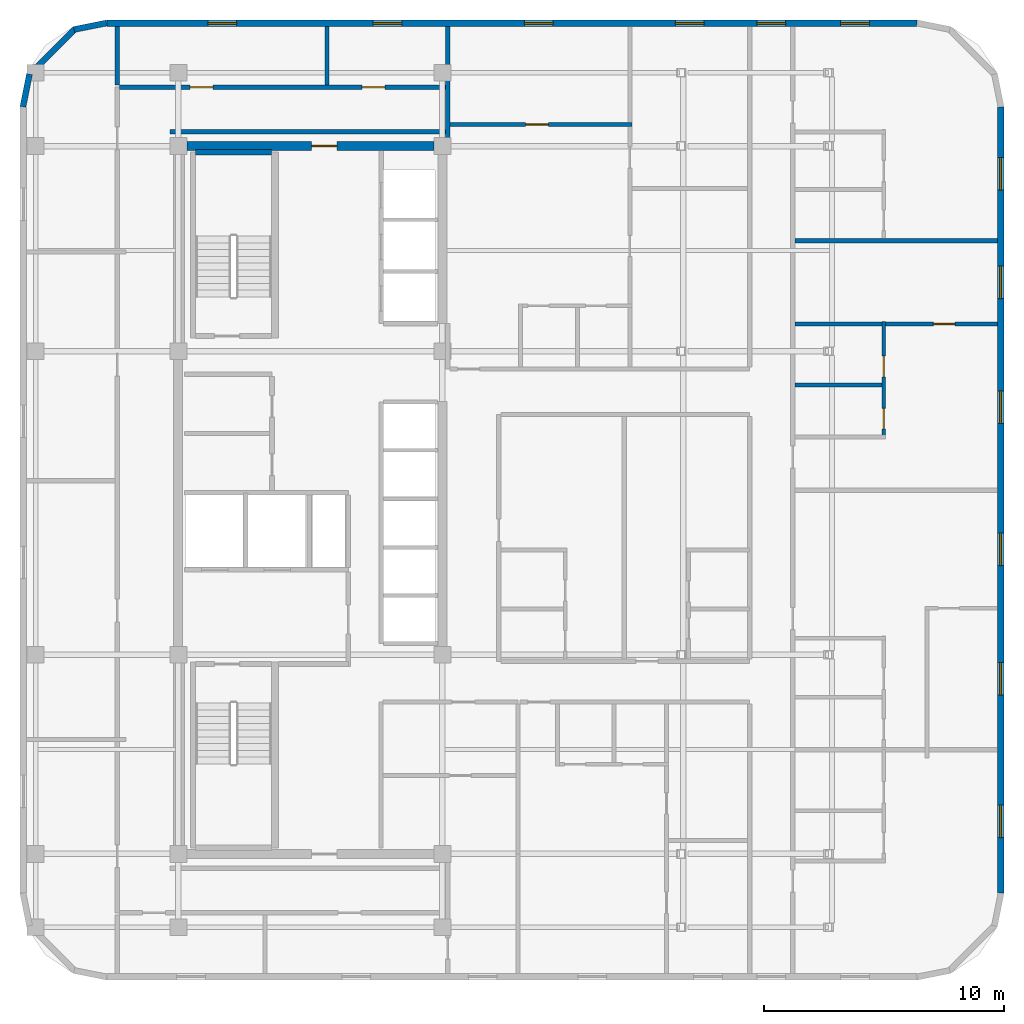
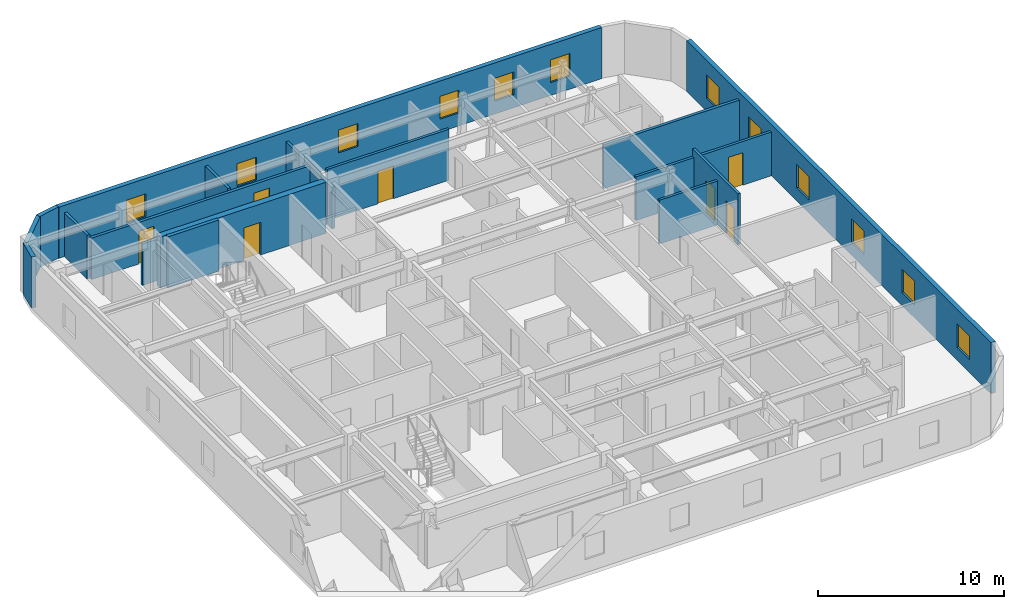
# One storey, part 6 of 8: 17 walls, 12 windows, 7 doors, 19 openings.
"""IFC4 building model written with IfcOpenShell, lengths in metres."""

import ifcopenshell
import ifcopenshell.guid

model = None  # the IFC model being written
_history = None  # IfcOwnerHistory: only IFC2X3 demands one
_inside = {}  # id of a spatial element -> (the spatial element, [elements in it])
_under = {}  # id of a project, library or spatial element -> (it, [spatial elements below it])
_declared = {}  # id of a project -> (the project, [libraries it declares])
_typed = {}  # id of a type object -> (the type object, [elements of that type])
_made_of = {}  # id of a material, layer set ... -> (it, [elements and type objects made of it])


def new_model(schema):
    """Start an empty IFC model of exactly this schema.

    Asked for "IFC4X3", IfcOpenShell would pick the latest addendum, in which some entities
    have other attributes; the version numbers below select the first issue.
    IFC2X3 requires an IfcOwnerHistory on every rooted entity: one is made here for all.
    """
    global model, _history
    if schema == "IFC4X3":
        model = ifcopenshell.file(schema_version=(4, 3, 0, 0))
    else:
        model = ifcopenshell.file(schema=schema)
    _inside.clear()
    _under.clear()
    _declared.clear()
    _typed.clear()
    _made_of.clear()
    _history = None
    if model.schema == "IFC2X3":
        org = make("IfcOrganization", Name="unknown")
        user = make(
            "IfcPersonAndOrganization",
            ThePerson=make("IfcPerson", FamilyName="unknown"),
            TheOrganization=org,
        )
        app = make(
            "IfcApplication",
            ApplicationDeveloper=org,
            Version="unknown",
            ApplicationFullName="unknown",
            ApplicationIdentifier="unknown",
        )
        _history = make(
            "IfcOwnerHistory",
            OwningUser=user,
            OwningApplication=app,
            ChangeAction="ADDED",
            CreationDate=0,
        )
    return model


def make(cls, **values):
    """One entity of the class cls with the attributes given. An attribute that is None is left unset."""
    return model.create_entity(
        cls, **{name: value for name, value in values.items() if value is not None}
    )


def rooted(cls, **values):
    """An entity with a GlobalId (a new one), such as an element, a storey or a relation."""
    return make(cls, GlobalId=ifcopenshell.guid.new(), OwnerHistory=_history, **values)


def si_unit(unit_type, name, prefix=None):
    """IfcSIUnit, for example si_unit("LENGTHUNIT", "METRE", prefix="MILLI")."""
    return make("IfcSIUnit", UnitType=unit_type, Prefix=prefix, Name=name)


def assignment(units):
    """IfcUnitAssignment: the units of a project."""
    return None if units is None else make("IfcUnitAssignment", Units=units)


def point(xyz):
    """IfcCartesianPoint."""
    return None if xyz is None else make("IfcCartesianPoint", Coordinates=xyz)


def direction(xyz):
    """IfcDirection."""
    return None if xyz is None else make("IfcDirection", DirectionRatios=xyz)


def frame(location, z_axis=None, x_axis=None):
    """IfcAxis2Placement3D, a coordinate frame: its origin and axes. An axis left out is left unset."""
    return make(
        "IfcAxis2Placement3D",
        Location=point(location),
        Axis=direction(z_axis),
        RefDirection=direction(x_axis),
    )


def frame_2d(location, x_axis=None):
    """IfcAxis2Placement2D, a coordinate frame in the plane: its origin and x axis."""
    return make(
        "IfcAxis2Placement2D", Location=point(location), RefDirection=direction(x_axis)
    )


def origin():
    """The frame at (0, 0, 0) with its axes left unset."""
    return frame((0.0, 0.0, 0.0))


def place(relative_to, where):
    """IfcLocalPlacement: puts the frame where relative to a parent placement (None: the world)."""
    return make(
        "IfcLocalPlacement", PlacementRelTo=relative_to, RelativePlacement=where
    )


def context(
    kind, dimensions, precision=None, world=None, true_north=None, identifier=None
):
    """IfcGeometricRepresentationContext, for example the 3D "Model" context."""
    return make(
        "IfcGeometricRepresentationContext",
        ContextIdentifier=identifier,
        ContextType=kind,
        CoordinateSpaceDimension=dimensions,
        Precision=precision,
        WorldCoordinateSystem=world,
        TrueNorth=true_north,
    )


def subcontext(parent, identifier, kind, view, scale=None):
    """IfcGeometricRepresentationSubContext, for example "Body" below "Model"."""
    return make(
        "IfcGeometricRepresentationSubContext",
        ContextIdentifier=identifier,
        ContextType=kind,
        ParentContext=parent,
        TargetScale=scale,
        TargetView=view,
    )


def project(units=None, contexts=None):
    """IfcProject with its units and contexts."""
    return rooted(
        "IfcProject",
        Name="project",
        RepresentationContexts=contexts,
        UnitsInContext=assignment(units),
    )


def spatial(cls, under=None, at=None, **own):
    """A site, building, storey or space (cls), placed at a placement, below another one or the project."""
    s = rooted(cls, ObjectPlacement=at, **own)
    if under is not None:
        _under.setdefault(under.id(), (under, []))[1].append(s)
    return s


def profile(cls, at=None, kind="AREA", **sizes):
    """A parametric profile (cls). Its sizes go by their IFC names, for example OverallWidth=200.0."""
    return make(cls, ProfileType=kind, Position=at, **sizes)


def rectangle(**sizes):
    """IfcRectangleProfileDef."""
    return profile("IfcRectangleProfileDef", **sizes)


def extrude(swept, where, along, depth):
    """IfcExtrudedAreaSolid: the profile swept, set in the frame where, extruded along a direction by depth."""
    return make(
        "IfcExtrudedAreaSolid",
        SweptArea=swept,
        Position=where,
        ExtrudedDirection=direction(along),
        Depth=depth,
    )


def shape(context_of_items, identifier, shape_type, items):
    """IfcShapeRepresentation: the items that make up one representation, for example the "Body"."""
    return make(
        "IfcShapeRepresentation",
        ContextOfItems=context_of_items,
        RepresentationIdentifier=identifier,
        RepresentationType=shape_type,
        Items=items,
    )


def material(Name=None, Category=None):
    """IfcMaterial."""
    return make("IfcMaterial", Name=Name, Category=Category)


def layer(
    of_material, thickness, ventilated=None, Name=None, Category=None, Priority=None
):
    """IfcMaterialLayer: one layer of a wall or slab, of a material (None: an air gap)."""
    return make(
        "IfcMaterialLayer",
        Material=of_material,
        LayerThickness=thickness,
        IsVentilated=ventilated,
        Name=Name,
        Category=Category,
        Priority=Priority,
    )


def layer_set(layers, Name=None):
    """IfcMaterialLayerSet."""
    return make("IfcMaterialLayerSet", MaterialLayers=layers, LayerSetName=Name)


def made_of(thing, what):
    """Note that an element or type object is made of a material, layer set ...; save() writes the relation."""
    if what is not None:
        _made_of.setdefault(what.id(), (what, []))[1].append(thing)
    return thing


def type_object(cls, material=None, **own):
    """A type object (cls), such as IfcWallType, which elements share."""
    return made_of(rooted(cls, **own), material)


def element(
    cls,
    number,
    at=None,
    inside=None,
    cuts=None,
    type_object=None,
    material=None,
    context=None,
    identifier="Body",
    shape_type=None,
    held_by="IfcProductDefinitionShape",
    body=None,
    shapes=None,
    **own,
):
    """One element of the class cls, such as IfcWall. Its Tag is "e" and its number.

    at: its placement. inside: the storey or other place that contains it. cuts: it is an
    opening in that element (IfcRelVoidsElement). A single representation is given by context,
    identifier, shape_type and body (its items); several are given by shapes. held_by: the class
    of the entity that holds the representations. save() writes the other relations.
    """
    e = rooted(cls, Tag="e%d" % number, ObjectPlacement=at, **own)
    if body is not None:
        shapes = [shape(context, identifier, shape_type, body)]
    if shapes is not None:
        e.Representation = make(held_by, Representations=shapes)
    if inside is not None:
        _inside.setdefault(inside.id(), (inside, []))[1].append(e)
    if cuts is not None:
        rooted(
            "IfcRelVoidsElement", RelatingBuildingElement=cuts, RelatedOpeningElement=e
        )
    if type_object is not None:
        _typed.setdefault(type_object.id(), (type_object, []))[1].append(e)
    return made_of(e, material)


def fill(opening, filler):
    """IfcRelFillsElement: the door or window that sits in an opening."""
    return rooted(
        "IfcRelFillsElement",
        RelatingOpeningElement=opening,
        RelatedBuildingElement=filler,
    )


def aggregate(whole, parts):
    """IfcRelAggregates: a whole, such as a stair, and the parts it consists of."""
    return rooted("IfcRelAggregates", RelatingObject=whole, RelatedObjects=parts)


def save(model, path):
    """Write the relations noted so far, then the file.

    IfcRelAggregates (storeys below a building ...), IfcRelContainedInSpatialStructure (elements
    in a storey), IfcRelDefinesByType, IfcRelAssociatesMaterial and IfcRelDeclares: one each for
    every whole, place, type object, material and project.
    """
    for whole, parts in _under.values():
        aggregate(whole, parts)
    for where, things in _inside.values():
        rooted(
            "IfcRelContainedInSpatialStructure",
            RelatedElements=things,
            RelatingStructure=where,
        )
    for kind, things in _typed.values():
        rooted("IfcRelDefinesByType", RelatedObjects=things, RelatingType=kind)
    for what, things in _made_of.values():
        rooted("IfcRelAssociatesMaterial", RelatedObjects=things, RelatingMaterial=what)
    for by, libraries in _declared.values():
        rooted("IfcRelDeclares", RelatingContext=by, RelatedDefinitions=libraries)
    model.write(path)


model = new_model("IFC4")

# Units and contexts
model_context = context("Model", 3, precision=1e-05, world=origin(), true_north=direction((0.0, 1.0)))
body_context = subcontext(model_context, "Body", "Model", "MODEL_VIEW")
ifc_project = project(units=[si_unit("LENGTHUNIT", "METRE"), si_unit("AREAUNIT", "SQUARE_METRE"), si_unit("VOLUMEUNIT", "CUBIC_METRE"), si_unit("PLANEANGLEUNIT", "RADIAN"), si_unit("MASSUNIT", "GRAM", prefix="KILO")], contexts=[model_context])

# Site, building, storey
site_placement = place(None, origin())
site = spatial("IfcSite", under=ifc_project, at=site_placement, CompositionType="ELEMENT")
building_placement = place(site_placement, origin())
building = spatial("IfcBuilding", under=site, at=building_placement, Name="Ochreholt Gables", CompositionType="ELEMENT")
storey_placement = place(building_placement, frame((0.0, 0.0, 148.199951171875)))
storey = spatial("IfcBuildingStorey", under=building, at=storey_placement, Name="L38", CompositionType="ELEMENT", Elevation=148.199951171875)

# Wall, opening, door
ifc_material_1 = material(Name="Concrete 50 MPa", Category="concrete")
ifc_layer_1 = layer(ifc_material_1, 0.3798828125, Name="Concrete 50 MPa")
ifc_layer_set_1 = layer_set([ifc_layer_1], Name="Concrete 50 MPa")
wall_type_1 = type_object("IfcWallType", Name="WALL-CSW-380", PredefinedType="SHEAR", material=ifc_layer_set_1)
wall_1_placement = place(storey_placement, frame((24.550048828125, 38.75, 0.0), z_axis=(0.0, 0.0, 1.0), x_axis=(1.0, 0.0, 0.0)))
wall_1 = element("IfcWall", 1, at=wall_1_placement, inside=storey, type_object=wall_type_1, Name="L38 Core North Shear Wall", PredefinedType="SHEAR", context=body_context, shape_type="SweptSolid", body=[
    extrude(rectangle(XDim=10.300048828125, YDim=0.3798828125, at=frame_2d((5.14990234375, 0.0))), origin(), (0.0, 0.0, 1.0), 3.360107421875),
])
opening_1_placement = place(wall_1_placement, frame((5.199951171875, 0.0, 0.0)))
opening_1 = element("IfcOpeningElement", 2, at=opening_1_placement, cuts=wall_1, Name="Opening D-FLB", PredefinedType="OPENING", context=body_context, shape_type="SweptSolid", body=[
    extrude(rectangle(XDim=1.050048828125, YDim=2.14990234375, at=frame_2d((0.52490234375, 1.074951171875))), frame((0.0, 0.199951171875, 0.0), z_axis=(0.0, -1.0, 0.0), x_axis=(1.0, 0.0, 0.0)), (0.0, 0.0, 1.0), 0.39990234375),
])
ifc_material_2 = material(Name="Hollow Metal Steel", Category="steel")
door_type_1 = type_object("IfcDoorType", Name="DR-INT-FLB1050", OperationType="NOTDEFINED", PredefinedType="DOOR", material=ifc_material_2)
door_1_placement = place(opening_1_placement, frame((1.050048828125, 0.0, 0.0), z_axis=(0.0, 0.0, 1.0), x_axis=(-1.0, 0.0, 0.0)))
door_1 = element("IfcDoor", 3, at=door_1_placement, inside=storey, type_object=door_type_1, Name="L38 Door D-C2CRN-L38", OperationType="SINGLE_SWING_RIGHT", OverallHeight=2.14990234375, OverallWidth=1.050048828125, PredefinedType="DOOR", context=body_context, shape_type="SweptSolid", body=[
    extrude(rectangle(XDim=1.050048828125, YDim=2.14990234375, at=frame_2d((0.52490234375, 1.074951171875))), frame((0.0, 0.02490234375, 0.0), z_axis=(0.0, -1.0, 0.0), x_axis=(1.0, 0.0, 0.0)), (0.0, 0.0, 1.0), 0.050048828125),
])
fill(opening_1, door_1)

# Wall, openings, windows
ifc_material_3 = material(Name="Precast concrete 40 MPa", Category="concrete")
ifc_layer_2 = layer(ifc_material_3, 0.280029296875, Name="Precast concrete 40 MPa")
ifc_layer_set_2 = layer_set([ifc_layer_2], Name="Precast concrete 40 MPa")
wall_type_2 = type_object("IfcWallType", Name="WALL-EXT-280", PredefinedType="SOLIDWALL", material=ifc_layer_set_2)
wall_2_placement = place(storey_placement, frame((58.4599609375, 7.6201171875, 0.0), z_axis=(0.0, 0.0, 1.0), x_axis=(0.0, 1.0, 0.0)))
wall_2 = element("IfcWall", 4, at=wall_2_placement, inside=storey, type_object=wall_type_2, Name="L38 East Exterior Wall", PredefinedType="SOLIDWALL", context=body_context, shape_type="SweptSolid", body=[
    extrude(rectangle(XDim=32.759765625, YDim=0.280029296875, at=frame_2d((16.3798828125, 0.0))), origin(), (0.0, 0.0, 1.0), 3.360107421875),
])
opening_2_placement = place(wall_2_placement, frame((2.31494140625, 0.0, 0.85009765625)))
opening_2 = element("IfcOpeningElement", 5, at=opening_2_placement, cuts=wall_2, Name="Opening WN-8", PredefinedType="OPENING", context=body_context, shape_type="SweptSolid", body=[
    extrude(rectangle(XDim=1.35009765625, YDim=1.550048828125, at=frame_2d((0.675048828125, 0.77490234375))), frame((0.0, 0.14990234375, 0.0), z_axis=(0.0, -1.0, 0.0), x_axis=(1.0, 0.0, 0.0)), (0.0, 0.0, 1.0), 0.300048828125),
])
opening_3_placement = place(wall_2_placement, frame((8.25, 0.0, 0.85009765625)))
opening_3 = element("IfcOpeningElement", 6, at=opening_3_placement, cuts=wall_2, Name="Opening WN-8", PredefinedType="OPENING", context=body_context, shape_type="SweptSolid", body=[
    extrude(rectangle(XDim=1.35009765625, YDim=1.550048828125, at=frame_2d((0.675048828125, 0.77490234375))), frame((0.0, 0.14990234375, 0.0), z_axis=(0.0, -1.0, 0.0), x_axis=(1.0, 0.0, 0.0)), (0.0, 0.0, 1.0), 0.300048828125),
])
opening_4_placement = place(wall_2_placement, frame((13.64990234375, 0.0, 0.85009765625)))
opening_4 = element("IfcOpeningElement", 7, at=opening_4_placement, cuts=wall_2, Name="Opening WN-8", PredefinedType="OPENING", context=body_context, shape_type="SweptSolid", body=[
    extrude(rectangle(XDim=1.35009765625, YDim=1.550048828125, at=frame_2d((0.675048828125, 0.77490234375))), frame((0.0, 0.14990234375, 0.0), z_axis=(0.0, -1.0, 0.0), x_axis=(1.0, 0.0, 0.0)), (0.0, 0.0, 1.0), 0.300048828125),
])
opening_5_placement = place(wall_2_placement, frame((19.57373046875, 0.0, 0.85009765625)))
opening_5 = element("IfcOpeningElement", 8, at=opening_5_placement, cuts=wall_2, Name="Opening WN-8", PredefinedType="OPENING", context=body_context, shape_type="SweptSolid", body=[
    extrude(rectangle(XDim=1.35009765625, YDim=1.550048828125, at=frame_2d((0.675048828125, 0.77490234375))), frame((0.0, 0.14990234375, 0.0), z_axis=(0.0, -1.0, 0.0), x_axis=(1.0, 0.0, 0.0)), (0.0, 0.0, 1.0), 0.300048828125),
])
opening_6_placement = place(wall_2_placement, frame((24.773681640625, 0.0, 0.85009765625)))
opening_6 = element("IfcOpeningElement", 9, at=opening_6_placement, cuts=wall_2, Name="Opening WN-8", PredefinedType="OPENING", context=body_context, shape_type="SweptSolid", body=[
    extrude(rectangle(XDim=1.35009765625, YDim=1.550048828125, at=frame_2d((0.675048828125, 0.77490234375))), frame((0.0, 0.14990234375, 0.0), z_axis=(0.0, -1.0, 0.0), x_axis=(1.0, 0.0, 0.0)), (0.0, 0.0, 1.0), 0.300048828125),
])
opening_7_placement = place(wall_2_placement, frame((29.294921875, 0.0, 0.85009765625)))
opening_7 = element("IfcOpeningElement", 10, at=opening_7_placement, cuts=wall_2, Name="Opening WN-8", PredefinedType="OPENING", context=body_context, shape_type="SweptSolid", body=[
    extrude(rectangle(XDim=1.35009765625, YDim=1.550048828125, at=frame_2d((0.675048828125, 0.77490234375))), frame((0.0, 0.14990234375, 0.0), z_axis=(0.0, -1.0, 0.0), x_axis=(1.0, 0.0, 0.0)), (0.0, 0.0, 1.0), 0.300048828125),
])
ifc_material_4 = material(Name="Triple-Glazed Thermally Broken Aluminium Window", Category="aluminium")
window_type_1 = type_object("IfcWindowType", Name="WIN-RES-1350", PartitioningType="SINGLE_PANEL", PredefinedType="WINDOW", material=ifc_material_4)
window_1_placement = place(opening_2_placement, origin())
window_1 = element("IfcWindow", 11, at=window_1_placement, inside=storey, type_object=window_type_1, Name="L38 Window W-EXT-E-L38-1", OverallHeight=1.550048828125, OverallWidth=1.35009765625, PartitioningType="SINGLE_PANEL", PredefinedType="WINDOW", context=body_context, shape_type="SweptSolid", body=[
    extrude(rectangle(XDim=1.35009765625, YDim=1.550048828125, at=frame_2d((0.675048828125, 0.77490234375))), frame((0.0, 0.030029296875, 0.0), z_axis=(0.0, -1.0, 0.0), x_axis=(1.0, 0.0, 0.0)), (0.0, 0.0, 1.0), 0.06005859375),
])
fill(opening_2, window_1)
window_2_placement = place(opening_3_placement, origin())
window_2 = element("IfcWindow", 12, at=window_2_placement, inside=storey, type_object=window_type_1, Name="L38 Window W-EXT-E-L38-2", OverallHeight=1.550048828125, OverallWidth=1.35009765625, PartitioningType="SINGLE_PANEL", PredefinedType="WINDOW", context=body_context, shape_type="SweptSolid", body=[
    extrude(rectangle(XDim=1.35009765625, YDim=1.550048828125, at=frame_2d((0.675048828125, 0.77490234375))), frame((0.0, 0.030029296875, 0.0), z_axis=(0.0, -1.0, 0.0), x_axis=(1.0, 0.0, 0.0)), (0.0, 0.0, 1.0), 0.06005859375),
])
fill(opening_3, window_2)
window_3_placement = place(opening_4_placement, origin())
window_3 = element("IfcWindow", 13, at=window_3_placement, inside=storey, type_object=window_type_1, Name="L38 Window W-EXT-E-L38-3", OverallHeight=1.550048828125, OverallWidth=1.35009765625, PartitioningType="SINGLE_PANEL", PredefinedType="WINDOW", context=body_context, shape_type="SweptSolid", body=[
    extrude(rectangle(XDim=1.35009765625, YDim=1.550048828125, at=frame_2d((0.675048828125, 0.77490234375))), frame((0.0, 0.030029296875, 0.0), z_axis=(0.0, -1.0, 0.0), x_axis=(1.0, 0.0, 0.0)), (0.0, 0.0, 1.0), 0.06005859375),
])
fill(opening_4, window_3)
window_4_placement = place(opening_5_placement, origin())
window_4 = element("IfcWindow", 14, at=window_4_placement, inside=storey, type_object=window_type_1, Name="L38 Window W-EXT-E-L38-4", OverallHeight=1.550048828125, OverallWidth=1.35009765625, PartitioningType="SINGLE_PANEL", PredefinedType="WINDOW", context=body_context, shape_type="SweptSolid", body=[
    extrude(rectangle(XDim=1.35009765625, YDim=1.550048828125, at=frame_2d((0.675048828125, 0.77490234375))), frame((0.0, 0.030029296875, 0.0), z_axis=(0.0, -1.0, 0.0), x_axis=(1.0, 0.0, 0.0)), (0.0, 0.0, 1.0), 0.06005859375),
])
fill(opening_5, window_4)
window_5_placement = place(opening_6_placement, origin())
window_5 = element("IfcWindow", 15, at=window_5_placement, inside=storey, type_object=window_type_1, Name="L38 Window W-EXT-E-L38-5", OverallHeight=1.550048828125, OverallWidth=1.35009765625, PartitioningType="SINGLE_PANEL", PredefinedType="WINDOW", context=body_context, shape_type="SweptSolid", body=[
    extrude(rectangle(XDim=1.35009765625, YDim=1.550048828125, at=frame_2d((0.675048828125, 0.77490234375))), frame((0.0, 0.030029296875, 0.0), z_axis=(0.0, -1.0, 0.0), x_axis=(1.0, 0.0, 0.0)), (0.0, 0.0, 1.0), 0.06005859375),
])
fill(opening_6, window_5)
window_6_placement = place(opening_7_placement, origin())
window_6 = element("IfcWindow", 16, at=window_6_placement, inside=storey, type_object=window_type_1, Name="L38 Window W-EXT-E-L38-6", OverallHeight=1.550048828125, OverallWidth=1.35009765625, PartitioningType="SINGLE_PANEL", PredefinedType="WINDOW", context=body_context, shape_type="SweptSolid", body=[
    extrude(rectangle(XDim=1.35009765625, YDim=1.550048828125, at=frame_2d((0.675048828125, 0.77490234375))), frame((0.0, 0.030029296875, 0.0), z_axis=(0.0, -1.0, 0.0), x_axis=(1.0, 0.0, 0.0)), (0.0, 0.0, 1.0), 0.06005859375),
])
fill(opening_7, window_6)

wall_3_placement = place(storey_placement, frame((54.97998046875, 43.860107421875, 0.0), z_axis=(0.0, 0.0, 1.0), x_axis=(-1.0, 0.0, 0.0)))
wall_3 = element("IfcWall", 17, at=wall_3_placement, inside=storey, type_object=wall_type_2, Name="L38 North Exterior Wall", PredefinedType="SOLIDWALL", context=body_context, shape_type="SweptSolid", body=[
    extrude(rectangle(XDim=33.760009765625, YDim=0.280029296875, at=frame_2d((16.8798828125, 0.0))), origin(), (0.0, 0.0, 1.0), 3.360107421875),
])
opening_8_placement = place(wall_3_placement, frame((28.35498046875, 0.0, 0.85009765625)))
opening_8 = element("IfcOpeningElement", 18, at=opening_8_placement, cuts=wall_3, Name="Opening WN-3", PredefinedType="OPENING", context=body_context, shape_type="SweptSolid", body=[
    extrude(rectangle(XDim=1.199951171875, YDim=1.5, at=frame_2d((0.60009765625, 0.75))), frame((0.0, 0.14990234375, 0.0), z_axis=(0.0, -1.0, 0.0), x_axis=(1.0, 0.0, 0.0)), (0.0, 0.0, 1.0), 0.300048828125),
])
opening_9_placement = place(wall_3_placement, frame((21.469970703125, 0.0, 0.85009765625)))
opening_9 = element("IfcOpeningElement", 19, at=opening_9_placement, cuts=wall_3, Name="Opening WN-3", PredefinedType="OPENING", context=body_context, shape_type="SweptSolid", body=[
    extrude(rectangle(XDim=1.199951171875, YDim=1.5, at=frame_2d((0.60009765625, 0.75))), frame((0.0, 0.14990234375, 0.0), z_axis=(0.0, -1.0, 0.0), x_axis=(1.0, 0.0, 0.0)), (0.0, 0.0, 1.0), 0.300048828125),
])
opening_10_placement = place(wall_3_placement, frame((15.1650390625, 0.0, 0.85009765625)))
opening_10 = element("IfcOpeningElement", 20, at=opening_10_placement, cuts=wall_3, Name="Opening WN-3", PredefinedType="OPENING", context=body_context, shape_type="SweptSolid", body=[
    extrude(rectangle(XDim=1.199951171875, YDim=1.5, at=frame_2d((0.60009765625, 0.75))), frame((0.0, 0.14990234375, 0.0), z_axis=(0.0, -1.0, 0.0), x_axis=(1.0, 0.0, 0.0)), (0.0, 0.0, 1.0), 0.300048828125),
])
opening_11_placement = place(wall_3_placement, frame((8.875, 0.0, 0.85009765625)))
opening_11 = element("IfcOpeningElement", 21, at=opening_11_placement, cuts=wall_3, Name="Opening WN-3", PredefinedType="OPENING", context=body_context, shape_type="SweptSolid", body=[
    extrude(rectangle(XDim=1.199951171875, YDim=1.5, at=frame_2d((0.60009765625, 0.75))), frame((0.0, 0.14990234375, 0.0), z_axis=(0.0, -1.0, 0.0), x_axis=(1.0, 0.0, 0.0)), (0.0, 0.0, 1.0), 0.300048828125),
])
opening_12_placement = place(wall_3_placement, frame((5.47998046875, 0.0, 0.85009765625)))
opening_12 = element("IfcOpeningElement", 22, at=opening_12_placement, cuts=wall_3, Name="Opening WN-3", PredefinedType="OPENING", context=body_context, shape_type="SweptSolid", body=[
    extrude(rectangle(XDim=1.199951171875, YDim=1.5, at=frame_2d((0.60009765625, 0.75))), frame((0.0, 0.14990234375, 0.0), z_axis=(0.0, -1.0, 0.0), x_axis=(1.0, 0.0, 0.0)), (0.0, 0.0, 1.0), 0.300048828125),
])
opening_13_placement = place(wall_3_placement, frame((1.989990234375, 0.0, 0.85009765625)))
opening_13 = element("IfcOpeningElement", 23, at=opening_13_placement, cuts=wall_3, Name="Opening WN-3", PredefinedType="OPENING", context=body_context, shape_type="SweptSolid", body=[
    extrude(rectangle(XDim=1.199951171875, YDim=1.5, at=frame_2d((0.60009765625, 0.75))), frame((0.0, 0.14990234375, 0.0), z_axis=(0.0, -1.0, 0.0), x_axis=(1.0, 0.0, 0.0)), (0.0, 0.0, 1.0), 0.300048828125),
])
window_type_2 = type_object("IfcWindowType", Name="WIN-RES-1200", PartitioningType="SINGLE_PANEL", PredefinedType="WINDOW", material=ifc_material_4)
window_7_placement = place(opening_8_placement, origin())
window_7 = element("IfcWindow", 24, at=window_7_placement, inside=storey, type_object=window_type_2, Name="L38 Window W-EXT-N-L38-1", OverallHeight=1.5, OverallWidth=1.199951171875, PartitioningType="SINGLE_PANEL", PredefinedType="WINDOW", context=body_context, shape_type="SweptSolid", body=[
    extrude(rectangle(XDim=1.199951171875, YDim=1.5, at=frame_2d((0.60009765625, 0.75))), frame((0.0, 0.030029296875, 0.0), z_axis=(0.0, -1.0, 0.0), x_axis=(1.0, 0.0, 0.0)), (0.0, 0.0, 1.0), 0.06005859375),
])
fill(opening_8, window_7)
window_8_placement = place(opening_9_placement, origin())
window_8 = element("IfcWindow", 25, at=window_8_placement, inside=storey, type_object=window_type_2, Name="L38 Window W-EXT-N-L38-2", OverallHeight=1.5, OverallWidth=1.199951171875, PartitioningType="SINGLE_PANEL", PredefinedType="WINDOW", context=body_context, shape_type="SweptSolid", body=[
    extrude(rectangle(XDim=1.199951171875, YDim=1.5, at=frame_2d((0.60009765625, 0.75))), frame((0.0, 0.030029296875, 0.0), z_axis=(0.0, -1.0, 0.0), x_axis=(1.0, 0.0, 0.0)), (0.0, 0.0, 1.0), 0.06005859375),
])
fill(opening_9, window_8)
window_9_placement = place(opening_10_placement, origin())
window_9 = element("IfcWindow", 26, at=window_9_placement, inside=storey, type_object=window_type_2, Name="L38 Window W-EXT-N-L38-3", OverallHeight=1.5, OverallWidth=1.199951171875, PartitioningType="SINGLE_PANEL", PredefinedType="WINDOW", context=body_context, shape_type="SweptSolid", body=[
    extrude(rectangle(XDim=1.199951171875, YDim=1.5, at=frame_2d((0.60009765625, 0.75))), frame((0.0, 0.030029296875, 0.0), z_axis=(0.0, -1.0, 0.0), x_axis=(1.0, 0.0, 0.0)), (0.0, 0.0, 1.0), 0.06005859375),
])
fill(opening_10, window_9)
window_10_placement = place(opening_11_placement, origin())
window_10 = element("IfcWindow", 27, at=window_10_placement, inside=storey, type_object=window_type_2, Name="L38 Window W-EXT-N-L38-4", OverallHeight=1.5, OverallWidth=1.199951171875, PartitioningType="SINGLE_PANEL", PredefinedType="WINDOW", context=body_context, shape_type="SweptSolid", body=[
    extrude(rectangle(XDim=1.199951171875, YDim=1.5, at=frame_2d((0.60009765625, 0.75))), frame((0.0, 0.030029296875, 0.0), z_axis=(0.0, -1.0, 0.0), x_axis=(1.0, 0.0, 0.0)), (0.0, 0.0, 1.0), 0.06005859375),
])
fill(opening_11, window_10)
window_11_placement = place(opening_12_placement, origin())
window_11 = element("IfcWindow", 28, at=window_11_placement, inside=storey, type_object=window_type_2, Name="L38 Window W-EXT-N-L38-5", OverallHeight=1.5, OverallWidth=1.199951171875, PartitioningType="SINGLE_PANEL", PredefinedType="WINDOW", context=body_context, shape_type="SweptSolid", body=[
    extrude(rectangle(XDim=1.199951171875, YDim=1.5, at=frame_2d((0.60009765625, 0.75))), frame((0.0, 0.030029296875, 0.0), z_axis=(0.0, -1.0, 0.0), x_axis=(1.0, 0.0, 0.0)), (0.0, 0.0, 1.0), 0.06005859375),
])
fill(opening_12, window_11)
window_12_placement = place(opening_13_placement, origin())
window_12 = element("IfcWindow", 29, at=window_12_placement, inside=storey, type_object=window_type_2, Name="L38 Window W-EXT-N-L38-6", OverallHeight=1.5, OverallWidth=1.199951171875, PartitioningType="SINGLE_PANEL", PredefinedType="WINDOW", context=body_context, shape_type="SweptSolid", body=[
    extrude(rectangle(XDim=1.199951171875, YDim=1.5, at=frame_2d((0.60009765625, 0.75))), frame((0.0, 0.030029296875, 0.0), z_axis=(0.0, -1.0, 0.0), x_axis=(1.0, 0.0, 0.0)), (0.0, 0.0, 1.0), 0.06005859375),
])
fill(opening_13, window_12)

# Walls
ifc_layer_3 = layer(ifc_material_3, 0.25, Name="Precast concrete 40 MPa")
ifc_layer_set_3 = layer_set([ifc_layer_3], Name="Precast concrete 40 MPa")
wall_type_3 = type_object("IfcWallType", Name="WALL-EXT-CNR", PredefinedType="SOLIDWALL", material=ifc_layer_set_3)
wall_4_placement = place(storey_placement, frame((21.216552734375, 43.875732421875, 0.0), z_axis=(0.0, 0.0, 1.0), x_axis=(-0.980809899341, -0.19496651342, 0.0)))
element("IfcWall", 30, at=wall_4_placement, inside=storey, type_object=wall_type_3, Name="L38 Rounded Corner Wall NW-1", PredefinedType="SOLIDWALL", context=body_context, shape_type="SweptSolid", body=[
    extrude(rectangle(XDim=1.388671875, YDim=0.25, at=frame_2d((0.6943359375, 0.0))), origin(), (0.0, 0.0, 1.0), 3.360107421875),
])
wall_5_placement = place(storey_placement, frame((19.905029296875, 43.632080078125, 0.0), z_axis=(0.0, 0.0, 1.0), x_axis=(-0.707106781187, -0.707106781187, 0.0)))
element("IfcWall", 31, at=wall_5_placement, inside=storey, type_object=wall_type_3, Name="L38 Rounded Corner Wall NW-2", PredefinedType="SOLIDWALL", context=body_context, shape_type="SweptSolid", body=[
    extrude(rectangle(XDim=2.7392578125, YDim=0.25, at=frame_2d((1.36962890625, 0.0))), origin(), (0.0, 0.0, 1.0), 3.360107421875),
])
wall_6_placement = place(storey_placement, frame((17.9951171875, 41.74560546875, 0.0), z_axis=(0.0, 0.0, 1.0), x_axis=(-0.195135625965, -0.9807762678, 0.0)))
element("IfcWall", 32, at=wall_6_placement, inside=storey, type_object=wall_type_3, Name="L38 Rounded Corner Wall NW-3", PredefinedType="SOLIDWALL", context=body_context, shape_type="SweptSolid", body=[
    extrude(rectangle(XDim=1.388671875, YDim=0.25, at=frame_2d((0.6943359375, 0.0))), origin(), (0.0, 0.0, 1.0), 3.360107421875),
])

# Wall, openings, doors
ifc_material_5 = material(Name="Fire-Rated Gypsum Acoustic Partition", Category="gypsum")
ifc_layer_4 = layer(ifc_material_5, 0.179931640625, Name="Fire-Rated Gypsum Acoustic Partition")
ifc_layer_set_4 = layer_set([ifc_layer_4], Name="Fire-Rated Gypsum Acoustic Partition")
wall_type_4 = type_object("IfcWallType", Name="WALL-INT-CR180", PredefinedType="STANDARD", material=ifc_layer_set_4)
wall_7_placement = place(storey_placement, frame((21.739990234375, 41.199951171875, 0.0), z_axis=(0.0, 0.0, 1.0), x_axis=(1.0, 0.0, 0.0)))
wall_7 = element("IfcWall", 33, at=wall_7_placement, inside=storey, type_object=wall_type_4, Name="L38 Interior Wall WI-C2WCN-L38", PredefinedType="STANDARD", context=body_context, shape_type="SweptSolid", body=[
    extrude(rectangle(XDim=13.679931640625, YDim=0.179931640625, at=frame_2d((6.83984375, 0.0))), origin(), (0.0, 0.0, 1.0), 2.72998046875),
])
opening_14_placement = place(wall_7_placement, frame((2.949951171875, 0.0, 0.0)))
opening_14 = element("IfcOpeningElement", 34, at=opening_14_placement, cuts=wall_7, Name="Opening D-GN1", PredefinedType="OPENING", context=body_context, shape_type="SweptSolid", body=[
    extrude(rectangle(XDim=0.949951171875, YDim=2.14990234375, at=frame_2d((0.47509765625, 1.074951171875))), frame((0.0, 0.099853515625, 0.0), z_axis=(0.0, -1.0, 0.0), x_axis=(1.0, 0.0, 0.0)), (0.0, 0.0, 1.0), 0.199951171875),
])
opening_15_placement = place(wall_7_placement, frame((10.110107421875, 0.0, 0.0)))
opening_15 = element("IfcOpeningElement", 35, at=opening_15_placement, cuts=wall_7, Name="Opening D-GN1", PredefinedType="OPENING", context=body_context, shape_type="SweptSolid", body=[
    extrude(rectangle(XDim=0.949951171875, YDim=2.14990234375, at=frame_2d((0.47509765625, 1.074951171875))), frame((0.0, 0.099853515625, 0.0), z_axis=(0.0, -1.0, 0.0), x_axis=(1.0, 0.0, 0.0)), (0.0, 0.0, 1.0), 0.199951171875),
])
ifc_material_6 = material(Name="Engineered Oak Timber", Category="wood")
door_type_2 = type_object("IfcDoorType", Name="DR-INT-GEN950", OperationType="NOTDEFINED", PredefinedType="DOOR", material=ifc_material_6)
door_2_placement = place(opening_14_placement, origin())
door_2 = element("IfcDoor", 36, at=door_2_placement, inside=storey, type_object=door_type_2, Name="L38 Door D-C2NRS1-L38", OperationType="SINGLE_SWING_RIGHT", OverallHeight=2.14990234375, OverallWidth=0.949951171875, PredefinedType="DOOR", context=body_context, shape_type="SweptSolid", body=[
    extrude(rectangle(XDim=0.949951171875, YDim=2.14990234375, at=frame_2d((0.47509765625, 1.074951171875))), frame((0.0, 0.02490234375, 0.0), z_axis=(0.0, -1.0, 0.0), x_axis=(1.0, 0.0, 0.0)), (0.0, 0.0, 1.0), 0.050048828125),
])
fill(opening_14, door_2)
door_3_placement = place(opening_15_placement, origin())
door_3 = element("IfcDoor", 37, at=door_3_placement, inside=storey, type_object=door_type_2, Name="L38 Door D-C2NRS2-L38", OperationType="SINGLE_SWING_LEFT", OverallHeight=2.14990234375, OverallWidth=0.949951171875, PredefinedType="DOOR", context=body_context, shape_type="SweptSolid", body=[
    extrude(rectangle(XDim=0.949951171875, YDim=2.14990234375, at=frame_2d((0.47509765625, 1.074951171875))), frame((0.0, 0.02490234375, 0.0), z_axis=(0.0, -1.0, 0.0), x_axis=(1.0, 0.0, 0.0)), (0.0, 0.0, 1.0), 0.050048828125),
])
fill(opening_15, door_3)

# Walls
wall_8_placement = place(storey_placement, frame((23.85009765625, 39.35009765625, 0.0), z_axis=(0.0, 0.0, 1.0), x_axis=(1.0, 0.0, 0.0)))
element("IfcWall", 38, at=wall_8_placement, inside=storey, type_object=wall_type_4, Name="L38 Interior Wall WI-C2WCN2-L38", PredefinedType="STANDARD", context=body_context, shape_type="SweptSolid", body=[
    extrude(rectangle(XDim=11.56982421875, YDim=0.179931640625, at=frame_2d((5.784912109375, 0.0))), origin(), (0.0, 0.0, 1.0), 2.72998046875),
])
ifc_material_7 = material(Name="Double-Stud Acoustic Demising Wall", Category="gypsum")
ifc_layer_5 = layer(ifc_material_7, 0.179931640625, Name="Double-Stud Acoustic Demising Wall")
ifc_layer_set_5 = layer_set([ifc_layer_5], Name="Double-Stud Acoustic Demising Wall")
wall_type_5 = type_object("IfcWallType", Name="WALL-INT-DM180", PredefinedType="PARTITIONING", material=ifc_layer_set_5)
wall_9_placement = place(storey_placement, frame((21.64990234375, 41.2900390625, 0.0), z_axis=(0.0, 0.0, 1.0), x_axis=(0.0, 1.0, 0.0)))
element("IfcWall", 39, at=wall_9_placement, inside=storey, type_object=wall_type_5, Name="L38 Interior Wall WI-C2WWN-L38", PredefinedType="PARTITIONING", context=body_context, shape_type="SweptSolid", body=[
    extrude(rectangle(XDim=2.429931640625, YDim=0.179931640625, at=frame_2d((1.21484375, 0.0))), origin(), (0.0, 0.0, 1.0), 2.879150390625),
])
wall_10_placement = place(storey_placement, frame((35.419921875, 38.75, 0.0), z_axis=(0.0, 0.0, 1.0), x_axis=(0.0, 1.0, 0.0)))
element("IfcWall", 40, at=wall_10_placement, inside=storey, type_object=wall_type_5, Name="L38 Interior Wall WI-C2NEN-L38", PredefinedType="PARTITIONING", context=body_context, shape_type="SweptSolid", body=[
    extrude(rectangle(XDim=4.969970703125, YDim=0.179931640625, at=frame_2d((2.48486328125, 0.0))), origin(), (0.0, 0.0, 1.0), 2.72998046875),
])
wall_11_placement = place(storey_placement, frame((49.889892578125, 34.800048828125, 0.0), z_axis=(0.0, 0.0, 1.0), x_axis=(1.0, 0.0, 0.0)))
element("IfcWall", 41, at=wall_11_placement, inside=storey, type_object=wall_type_5, Name="L38 Interior Wall WI-C2FED4-L38", PredefinedType="PARTITIONING", context=body_context, shape_type="SweptSolid", body=[
    extrude(rectangle(XDim=8.43017578125, YDim=0.179931640625, at=frame_2d((4.215087890625, 0.0))), origin(), (0.0, 0.0, 1.0), 2.879150390625),
])

# Wall, openings, doors
ifc_material_8 = material(Name="Moisture-Resistant Plumbing Chase Wall", Category="gypsum")
ifc_layer_6 = layer(ifc_material_8, 0.159912109375, Name="Moisture-Resistant Plumbing Chase Wall")
ifc_layer_set_6 = layer_set([ifc_layer_6], Name="Moisture-Resistant Plumbing Chase Wall")
wall_type_6 = type_object("IfcWallType", Name="WALL-INT-PL160", PredefinedType="PLUMBINGWALL", material=ifc_layer_set_6)
wall_12_placement = place(storey_placement, frame((53.590087890625, 26.540283203125, 0.0), z_axis=(0.0, 0.0, 1.0), x_axis=(0.0, 1.0, 0.0)))
wall_12 = element("IfcWall", 42, at=wall_12_placement, inside=storey, type_object=wall_type_6, Name="L38 Interior Wall WU-L38FE3-WX", PredefinedType="PLUMBINGWALL", context=body_context, shape_type="SweptSolid", body=[
    extrude(rectangle(XDim=4.88720703125, YDim=0.159912109375, at=frame_2d((2.443603515625, 0.0))), origin(), (0.0, 0.0, 1.0), 3.360107421875),
])
opening_16_placement = place(wall_12_placement, frame((0.419921875, 0.0, 0.0)))
opening_16 = element("IfcOpeningElement", 43, at=opening_16_placement, cuts=wall_12, Name="Opening D-BT1", PredefinedType="OPENING", context=body_context, shape_type="SweptSolid", body=[
    extrude(rectangle(XDim=0.860107421875, YDim=2.1201171875, at=frame_2d((0.43017578125, 1.06005859375))), frame((0.0, 0.08984375, 0.0), z_axis=(0.0, -1.0, 0.0), x_axis=(1.0, 0.0, 0.0)), (0.0, 0.0, 1.0), 0.179931640625),
])
opening_17_placement = place(wall_12_placement, frame((2.585205078125, 0.0, 0.0)))
opening_17 = element("IfcOpeningElement", 44, at=opening_17_placement, cuts=wall_12, Name="Opening D-GN2", PredefinedType="OPENING", context=body_context, shape_type="SweptSolid", body=[
    extrude(rectangle(XDim=0.8798828125, YDim=2.1201171875, at=frame_2d((0.43994140625, 1.06005859375))), frame((0.0, 0.08984375, 0.0), z_axis=(0.0, -1.0, 0.0), x_axis=(1.0, 0.0, 0.0)), (0.0, 0.0, 1.0), 0.179931640625),
])
door_type_3 = type_object("IfcDoorType", Name="DR-INT-BTH860", OperationType="NOTDEFINED", PredefinedType="DOOR", material=ifc_material_6)
door_4_placement = place(opening_16_placement, origin())
door_4 = element("IfcDoor", 45, at=door_4_placement, inside=storey, type_object=door_type_3, Name="L38 Door D-U-L38FE3-BTH", OperationType="SINGLE_SWING_LEFT", OverallHeight=2.1201171875, OverallWidth=0.860107421875, PredefinedType="DOOR", context=body_context, shape_type="SweptSolid", body=[
    extrude(rectangle(XDim=0.860107421875, YDim=2.1201171875, at=frame_2d((0.43017578125, 1.06005859375))), frame((0.0, 0.02490234375, 0.0), z_axis=(0.0, -1.0, 0.0), x_axis=(1.0, 0.0, 0.0)), (0.0, 0.0, 1.0), 0.050048828125),
])
fill(opening_16, door_4)
door_type_4 = type_object("IfcDoorType", Name="DR-INT-GEN880", OperationType="NOTDEFINED", PredefinedType="DOOR", material=ifc_material_6)
door_5_placement = place(opening_17_placement, origin())
door_5 = element("IfcDoor", 46, at=door_5_placement, inside=storey, type_object=door_type_4, Name="L38 Door D-U-L38FE3-KIT", OperationType="SINGLE_SWING_RIGHT", OverallHeight=2.1201171875, OverallWidth=0.8798828125, PredefinedType="DOOR", context=body_context, shape_type="SweptSolid", body=[
    extrude(rectangle(XDim=0.8798828125, YDim=2.1201171875, at=frame_2d((0.43994140625, 1.06005859375))), frame((0.0, 0.02490234375, 0.0), z_axis=(0.0, -1.0, 0.0), x_axis=(1.0, 0.0, 0.0)), (0.0, 0.0, 1.0), 0.050048828125),
])
fill(opening_17, door_5)

# Wall
wall_13_placement = place(storey_placement, frame((49.889892578125, 28.795654296875, 0.0), z_axis=(0.0, 0.0, 1.0), x_axis=(1.0, 0.0, 0.0)))
element("IfcWall", 47, at=wall_13_placement, inside=storey, type_object=wall_type_6, Name="L38 Interior Wall WU-L38FE3-WK", PredefinedType="PLUMBINGWALL", context=body_context, shape_type="SweptSolid", body=[
    extrude(rectangle(XDim=3.6201171875, YDim=0.159912109375, at=frame_2d((1.81005859375, 0.0))), origin(), (0.0, 0.0, 1.0), 2.879150390625),
])

# Wall, opening, door
ifc_material_9 = material(Name="Gypsum Acoustic Stud Partition", Category="gypsum")
ifc_layer_7 = layer(ifc_material_9, 0.1650390625, Name="Gypsum Acoustic Stud Partition")
ifc_layer_set_7 = layer_set([ifc_layer_7], Name="Gypsum Acoustic Stud Partition")
wall_type_7 = type_object("IfcWallType", Name="WALL-INT-PT165", PredefinedType="PARTITIONING", material=ifc_layer_set_7)
wall_14_placement = place(storey_placement, frame((35.510009765625, 39.64990234375, 0.0), z_axis=(0.0, 0.0, 1.0), x_axis=(1.0, 0.0, 0.0)))
wall_14 = element("IfcWall", 48, at=wall_14_placement, inside=storey, type_object=wall_type_7, Name="L38 Interior Wall WU-L38N1-DNY", PredefinedType="PARTITIONING", context=body_context, shape_type="SweptSolid", body=[
    extrude(rectangle(XDim=7.580078125, YDim=0.1650390625, at=frame_2d((3.7900390625, 0.0))), origin(), (0.0, 0.0, 1.0), 3.360107421875),
])
opening_18_placement = place(wall_14_placement, frame((3.155029296875, 0.0, 0.0)))
opening_18 = element("IfcOpeningElement", 49, at=opening_18_placement, cuts=wall_14, Name="Opening D-GN1", PredefinedType="OPENING", context=body_context, shape_type="SweptSolid", body=[
    extrude(rectangle(XDim=0.949951171875, YDim=2.14990234375, at=frame_2d((0.47509765625, 1.074951171875))), frame((0.0, 0.092529296875, 0.0), z_axis=(0.0, -1.0, 0.0), x_axis=(1.0, 0.0, 0.0)), (0.0, 0.0, 1.0), 0.18505859375),
])
door_6_placement = place(opening_18_placement, origin())
door_6 = element("IfcDoor", 50, at=door_6_placement, inside=storey, type_object=door_type_2, Name="L38 Door D-U-L38N1-DIN", OperationType="SINGLE_SWING_RIGHT", OverallHeight=2.14990234375, OverallWidth=0.949951171875, PredefinedType="DOOR", context=body_context, shape_type="SweptSolid", body=[
    extrude(rectangle(XDim=0.949951171875, YDim=2.14990234375, at=frame_2d((0.47509765625, 1.074951171875))), frame((0.0, 0.02490234375, 0.0), z_axis=(0.0, -1.0, 0.0), x_axis=(1.0, 0.0, 0.0)), (0.0, 0.0, 1.0), 0.050048828125),
])
fill(opening_18, door_6)

wall_15_placement = place(storey_placement, frame((49.889892578125, 31.33740234375, 0.0), z_axis=(0.0, 0.0, 1.0), x_axis=(1.0, 0.0, 0.0)))
wall_15 = element("IfcWall", 51, at=wall_15_placement, inside=storey, type_object=wall_type_7, Name="L38 Interior Wall WU-L38FE3-MN", PredefinedType="PARTITIONING", context=body_context, shape_type="SweptSolid", body=[
    extrude(rectangle(XDim=8.43017578125, YDim=0.1650390625, at=frame_2d((4.215087890625, 0.0))), origin(), (0.0, 0.0, 1.0), 2.879150390625),
])
opening_19_placement = place(wall_15_placement, frame((5.77001953125, 0.0, 0.0)))
opening_19 = element("IfcOpeningElement", 52, at=opening_19_placement, cuts=wall_15, Name="Opening D-BD1", PredefinedType="OPENING", context=body_context, shape_type="SweptSolid", body=[
    extrude(rectangle(XDim=0.89990234375, YDim=2.139892578125, at=frame_2d((0.449951171875, 1.06982421875))), frame((0.0, 0.092529296875, 0.0), z_axis=(0.0, -1.0, 0.0), x_axis=(1.0, 0.0, 0.0)), (0.0, 0.0, 1.0), 0.18505859375),
])
door_type_5 = type_object("IfcDoorType", Name="DR-INT-BED900", OperationType="NOTDEFINED", PredefinedType="DOOR", material=ifc_material_6)
door_7_placement = place(opening_19_placement, origin())
door_7 = element("IfcDoor", 53, at=door_7_placement, inside=storey, type_object=door_type_5, Name="L38 Door D-U-L38FE3-BD1", OperationType="SINGLE_SWING_LEFT", OverallHeight=2.139892578125, OverallWidth=0.89990234375, PredefinedType="DOOR", context=body_context, shape_type="SweptSolid", body=[
    extrude(rectangle(XDim=0.89990234375, YDim=2.139892578125, at=frame_2d((0.449951171875, 1.06982421875))), frame((0.0, 0.02490234375, 0.0), z_axis=(0.0, -1.0, 0.0), x_axis=(1.0, 0.0, 0.0)), (0.0, 0.0, 1.0), 0.050048828125),
])
fill(opening_19, door_7)

# Walls
wall_16_placement = place(storey_placement, frame((30.39990234375, 41.2900390625, 0.0), z_axis=(0.0, 0.0, 1.0), x_axis=(0.0, 1.0, 0.0)))
element("IfcWall", 54, at=wall_16_placement, inside=storey, type_object=wall_type_7, Name="L38 Interior Wall WI-C2PKN-L38", PredefinedType="PARTITIONING", context=body_context, shape_type="SweptSolid", body=[
    extrude(rectangle(XDim=2.429931640625, YDim=0.1650390625, at=frame_2d((1.21484375, 0.0))), origin(), (0.0, 0.0, 1.0), 2.879150390625),
])
ifc_layer_8 = layer(ifc_material_1, 0.219970703125, Name="Concrete 50 MPa")
ifc_layer_set_8 = layer_set([ifc_layer_8], Name="Concrete 50 MPa")
wall_type_8 = type_object("IfcWallType", Name="WALL-STW-220", PredefinedType="SHEAR", material=ifc_layer_set_8)
wall_17_placement = place(storey_placement, frame((24.919921875, 38.489990234375, 0.0), z_axis=(0.0, 0.0, 1.0), x_axis=(1.0, 0.0, 0.0)))
element("IfcWall", 55, at=wall_17_placement, inside=storey, type_object=wall_type_8, Name="L38 Exit Stair 2 North Wall", PredefinedType="SHEAR", context=body_context, shape_type="SweptSolid", body=[
    extrude(rectangle(XDim=3.16015625, YDim=0.219970703125, at=frame_2d((1.580078125, 0.0))), origin(), (0.0, 0.0, 1.0), 3.360107421875),
])

save(model, "model.ifc")
